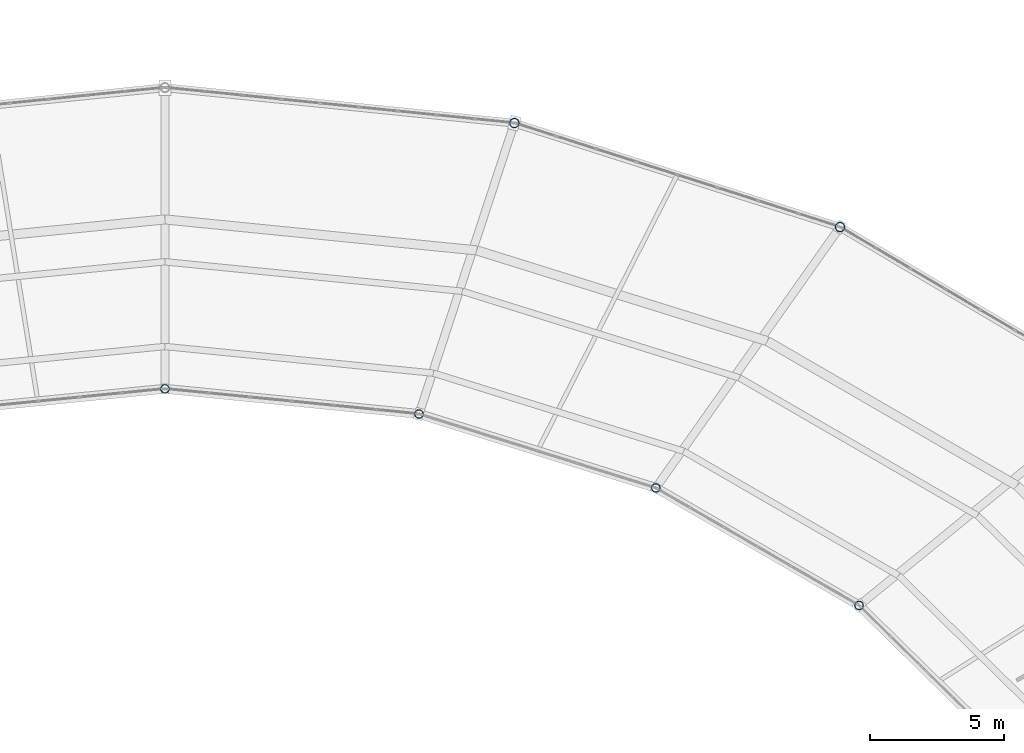
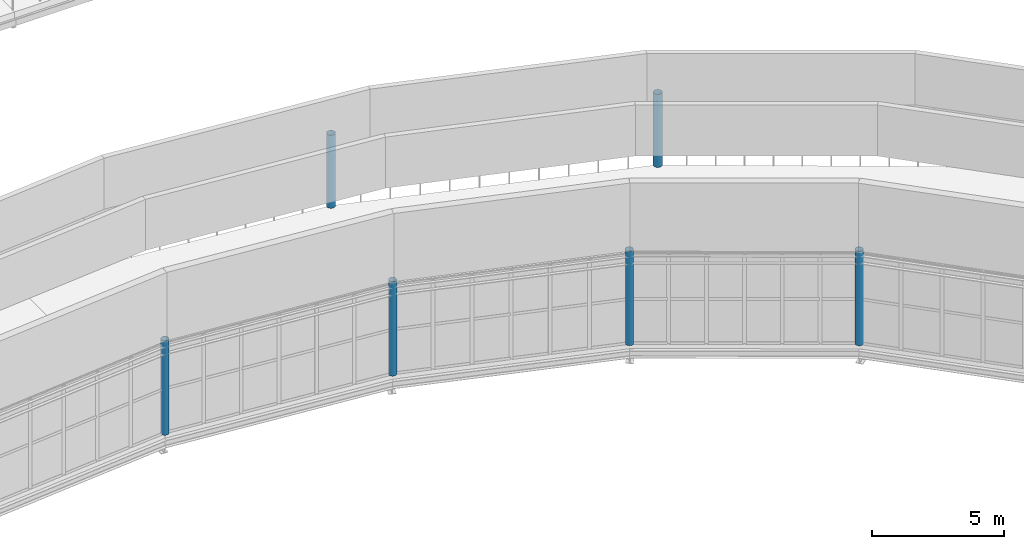
# One storey, part 14 of 123: 6 columns.
"""IFC4 building model written with IfcOpenShell, lengths in metres."""

from ifc_helpers import new_model, si_unit, direction, frame, origin, origin_2d, place, context, subcontext, project, spatial, hollow_circle, extrude, material, material_profile, profile_set, type_object, element, save


model = new_model("IFC4")

# Units and contexts
model_context = context("Model", 3, precision=1e-05, world=origin(), true_north=direction((0.0, 1.0)))
body_context = subcontext(model_context, "Body", "Model", "MODEL_VIEW")
ifc_project = project(units=[si_unit("LENGTHUNIT", "METRE"), si_unit("AREAUNIT", "SQUARE_METRE"), si_unit("VOLUMEUNIT", "CUBIC_METRE"), si_unit("PLANEANGLEUNIT", "RADIAN"), si_unit("MASSUNIT", "GRAM", prefix="KILO")], contexts=[model_context])

# Site, building, storey
site_placement = place(None, origin())
site = spatial("IfcSite", under=ifc_project, at=site_placement, CompositionType="ELEMENT")
building_placement = place(site_placement, origin())
building = spatial("IfcBuilding", under=site, at=building_placement, Name="Kildeholm Park Wholesale Market", CompositionType="ELEMENT")
storey_placement = place(building_placement, frame((0.0, 0.0, 9.60009765625)))
storey = spatial("IfcBuildingStorey", under=building, at=storey_placement, Name="L02", CompositionType="ELEMENT", Elevation=9.60009765625)

# Columns
ifc_material = material(Name="Steel S355", Category="steel")
ifc_material_profile_1 = material_profile(ifc_material, hollow_circle(Radius=0.161865234375, WallThickness=0.01611328125, at=origin_2d()), Name="CHS 323.9x16")
ifc_profile_set_1 = profile_set([ifc_material_profile_1], Name="Steel S355")
column_type_1 = type_object("IfcColumnType", Name="Column C-S09 CHS 323.9x16", PredefinedType="COLUMN", material=ifc_profile_set_1)
for number, where, z_axis, x_axis, name in (
    (1, (124.80908203125, 108.945068359375, 0.0), (0.0, 0.0, 1.0), (0.707106781187, 0.707106781187, 0.0), "Column V1-IN-03 L02 COL-0030"),
    (2, (117.25, 113.31591796875, 0.0), (0.0, 0.0, 1.0), (0.5, 0.866025403784, 0.0), "Column V1-IN-04 L02 COL-0039"),
    (3, (108.447021484375, 116.06298828125, 0.0), (0.0, 0.0, 1.0), (0.258819045103, 0.965925826289, 0.0), "Column V1-IN-05 L02 COL-0048"),
    (4, (99.0, 117.0, 0.0), (0.0, 0.0, 1.0), (0.0, 1.0, 0.0), "Column V1-IN-06 L02 COL-0057"),
):
    element("IfcColumn", number, at=place(storey_placement, frame(where, z_axis=z_axis, x_axis=x_axis)), inside=storey, type_object=column_type_1, Name=name, PredefinedType="COLUMN", context=body_context, shape_type="SweptSolid", body=[
        extrude(hollow_circle(Radius=0.161865234375, WallThickness=0.01611328125, at=origin_2d()), origin(), (0.0, 0.0, 1.0), 4.3798828125),
    ])
ifc_material_profile_2 = material_profile(ifc_material, hollow_circle(Radius=0.177734375, WallThickness=0.01611328125, at=origin_2d()), Name="CHS 355.6x16")
ifc_profile_set_2 = profile_set([ifc_material_profile_2], Name="Steel S355")
column_type_2 = type_object("IfcColumnType", Name="Column C-S10 CHS 355.6x16", PredefinedType="COLUMN", material=ifc_profile_set_2)
for number, where, z_axis, x_axis, name in (
    (5, (124.10009765625, 123.014892578125, 0.0), (0.0, 0.0, 1.0), (0.5, 0.866025403784, 0.0), "Column V1-MD-04 L02 COL-0042"),
    (6, (111.992919921875, 126.881103515625, 0.0), (0.0, 0.0, 1.0), (0.258819045103, 0.965925826289, 0.0), "Column V1-MD-05 L02 COL-0051"),
):
    element("IfcColumn", number, at=place(storey_placement, frame(where, z_axis=z_axis, x_axis=x_axis)), inside=storey, type_object=column_type_2, Name=name, PredefinedType="COLUMN", context=body_context, shape_type="SweptSolid", body=[
        extrude(hollow_circle(Radius=0.177734375, WallThickness=0.01611328125, at=origin_2d()), origin(), (0.0, 0.0, 1.0), 3.3798828125),
    ])

save(model, "model.ifc")
